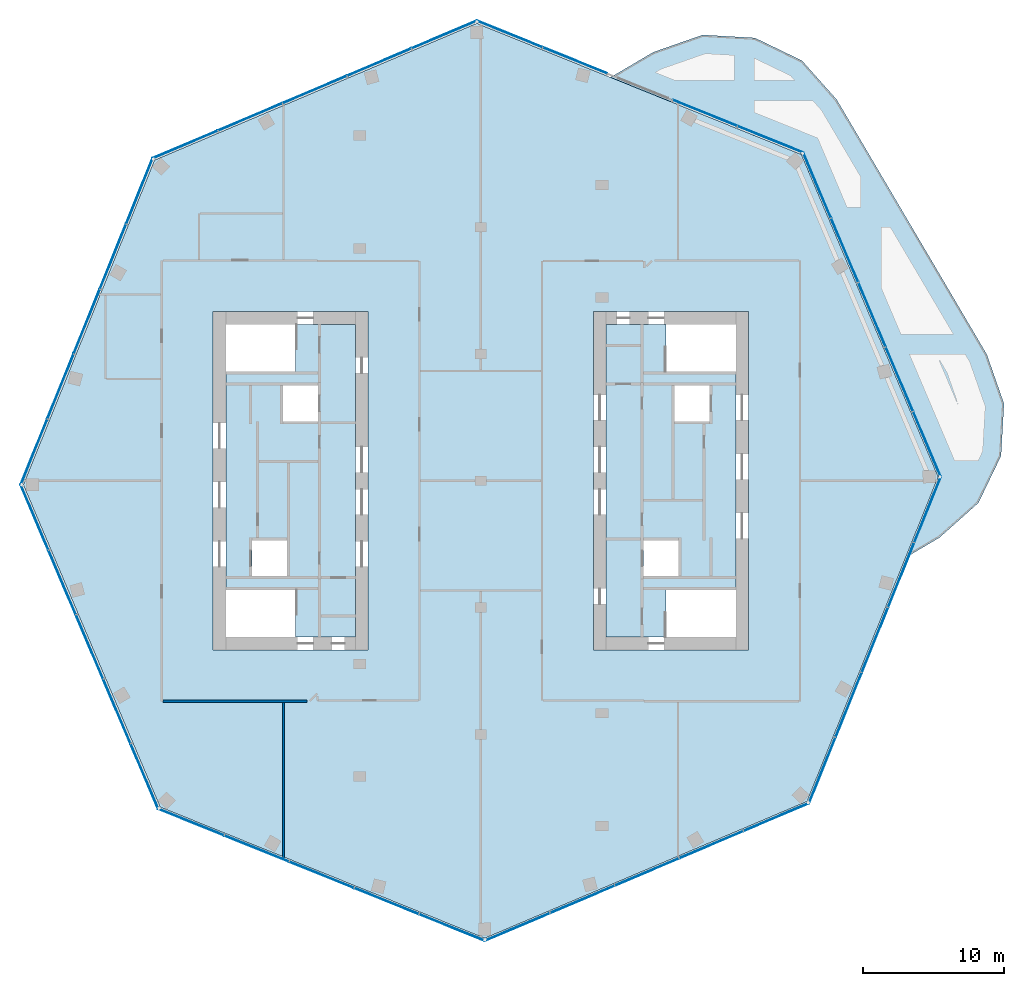
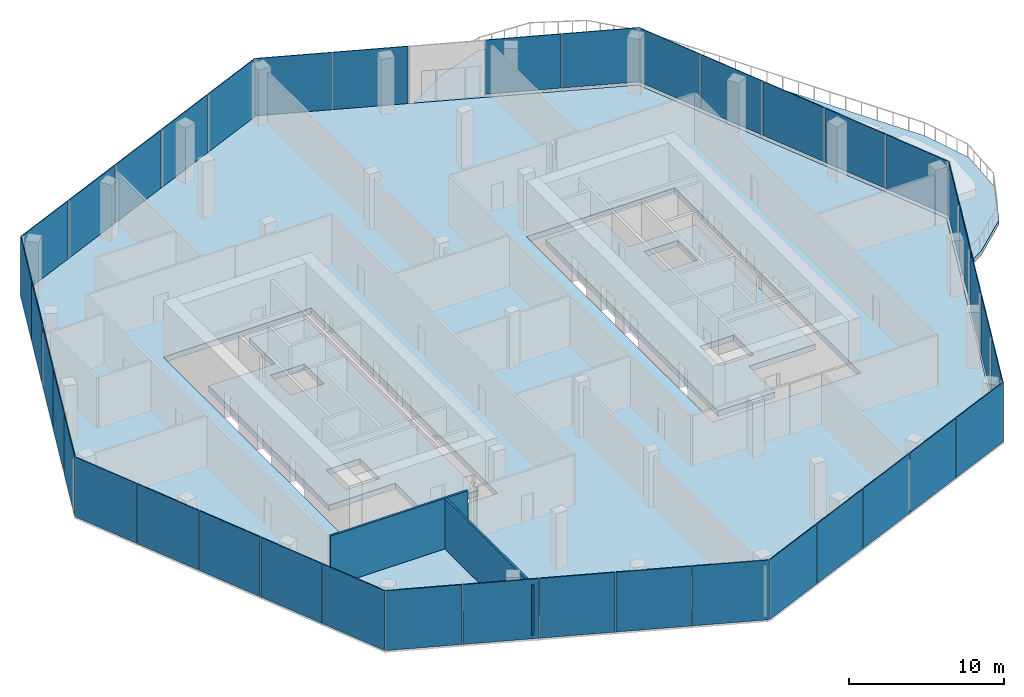
# One storey, part 11 of 15: 39 plates, 4 slabs, 2 walls, 8 elements without a shape of their own.
"""IFC4 building model written with IfcOpenShell, lengths in metres."""

from ifc_helpers import new_model, si_unit, direction, frame, frame_2d, origin, origin_2d, place, context, subcontext, project, spatial, polyline, rectangle, outline, extrude, material, layer, layer_set, type_object, element, aggregate, save


model = new_model("IFC4")

# Units and contexts
model_context = context("Model", 3, precision=1e-05, world=origin(), true_north=direction((0.0, 1.0)))
body_context = subcontext(model_context, "Body", "Model", "MODEL_VIEW")
ifc_project = project(units=[si_unit("LENGTHUNIT", "METRE"), si_unit("AREAUNIT", "SQUARE_METRE"), si_unit("VOLUMEUNIT", "CUBIC_METRE"), si_unit("PLANEANGLEUNIT", "RADIAN"), si_unit("MASSUNIT", "GRAM", prefix="KILO")], contexts=[model_context])

# Site, building, storey
site_placement = place(None, origin())
site = spatial("IfcSite", under=ifc_project, at=site_placement, CompositionType="ELEMENT")
building_placement = place(site_placement, origin())
building = spatial("IfcBuilding", under=site, at=building_placement, Name="Orlundy Tower", CompositionType="ELEMENT")
storey_placement = place(building_placement, frame((0.0, 0.0, 299.89990234375)))
storey = spatial("IfcBuildingStorey", under=building, at=storey_placement, Name="L80", CompositionType="ELEMENT", Elevation=299.89990234375)

# Curtain wall, plates
ifc_material_1 = material(Name="Aluminium bronze anodised", Category="aluminium")
curtain_wall_type = type_object("IfcCurtainWallType", Name="CW4 wall", PredefinedType="NOTDEFINED", material=ifc_material_1)
curtain_wall_1_placement = place(storey_placement, origin())
curtain_wall_1 = element("IfcCurtainWall", 1, at=curtain_wall_1_placement, inside=storey, type_object=curtain_wall_type, Name="CW4 run 00", PredefinedType="NOTDEFINED")
ifc_material_2 = material(Name="Louvre aluminium bronze anodised", Category="aluminium")
ifc_layer_1 = layer(ifc_material_2, 0.06005859375)
ifc_layer_set_1 = layer_set([ifc_layer_1], Name="CW4 louvre panel 60")
plate_type = type_object("IfcPlateType", Name="CW4 louvre panel 60", PredefinedType="CURTAIN_PANEL", material=ifc_layer_set_1)
plate_1_placement = place(storey_placement, frame((23.867919921875, 20.98583984375, 0.150146484375), z_axis=(0.0, 0.0, 1.0), x_axis=(0.390726531244, -0.920506804854, 0.0)))
plate_1 = element("IfcPlate", 2, at=plate_1_placement, type_object=plate_type, Name="CW4 louvre", PredefinedType="CURTAIN_PANEL", context=body_context, shape_type="SweptSolid", body=[
    extrude(rectangle(XDim=5.01123046875, YDim=0.06005859375, at=origin_2d()), origin(), (0.0, 0.0, 1.0), 4.25),
])
plate_2_placement = place(storey_placement, frame((25.829833984375, 16.364013671875, 0.150146484375), z_axis=(0.0, 0.0, 1.0), x_axis=(0.390726531244, -0.920506804854, 0.0)))
plate_2 = element("IfcPlate", 3, at=plate_2_placement, type_object=plate_type, Name="CW4 louvre", PredefinedType="CURTAIN_PANEL", context=body_context, shape_type="SweptSolid", body=[
    extrude(rectangle(XDim=4.91064453125, YDim=0.06005859375, at=origin_2d()), origin(), (0.0, 0.0, 1.0), 4.25),
])
plate_3_placement = place(storey_placement, frame((27.77197265625, 11.788330078125, 0.150146484375), z_axis=(0.0, 0.0, 1.0), x_axis=(0.390726531244, -0.920506804854, 0.0)))
plate_3 = element("IfcPlate", 4, at=plate_3_placement, type_object=plate_type, Name="CW4 louvre", PredefinedType="CURTAIN_PANEL", context=body_context, shape_type="SweptSolid", body=[
    extrude(rectangle(XDim=4.91064453125, YDim=0.06005859375, at=origin_2d()), origin(), (0.0, 0.0, 1.0), 4.25),
])
plate_4_placement = place(storey_placement, frame((29.714111328125, 7.212890625, 0.150146484375), z_axis=(0.0, 0.0, 1.0), x_axis=(0.390726531244, -0.920506804854, 0.0)))
plate_4 = element("IfcPlate", 5, at=plate_4_placement, type_object=plate_type, Name="CW4 louvre", PredefinedType="CURTAIN_PANEL", context=body_context, shape_type="SweptSolid", body=[
    extrude(rectangle(XDim=4.91064453125, YDim=0.06005859375, at=origin_2d()), origin(), (0.0, 0.0, 1.0), 4.25),
])
plate_5_placement = place(storey_placement, frame((31.676025390625, 2.591064453125, 0.150146484375), z_axis=(0.0, 0.0, 1.0), x_axis=(0.390726531244, -0.920506804854, 0.0)))
plate_5 = element("IfcPlate", 6, at=plate_5_placement, type_object=plate_type, Name="CW4 louvre", PredefinedType="CURTAIN_PANEL", context=body_context, shape_type="SweptSolid", body=[
    extrude(rectangle(XDim=5.01123046875, YDim=0.06005859375, at=origin_2d()), origin(), (0.0, 0.0, 1.0), 4.25),
])
aggregate(curtain_wall_1, [plate_1, plate_2, plate_3, plate_4, plate_5])

curtain_wall_2_placement = place(storey_placement, origin())
curtain_wall_2 = element("IfcCurtainWall", 7, at=curtain_wall_2_placement, inside=storey, type_object=curtain_wall_type, Name="CW4 run 01", PredefinedType="NOTDEFINED")
plate_6_placement = place(storey_placement, frame((31.71630859375, -2.038330078125, 0.150146484375), z_axis=(0.0, 0.0, 1.0), x_axis=(-0.374607412456, -0.927183523653, 0.0)))
plate_6 = element("IfcPlate", 8, at=plate_6_placement, type_object=plate_type, Name="CW4 louvre", PredefinedType="CURTAIN_PANEL", context=body_context, shape_type="SweptSolid", body=[
    extrude(rectangle(XDim=5.010986328125, YDim=0.06005859375, at=origin_2d()), origin(), (0.0, 0.0, 1.0), 4.25),
])
plate_7_placement = place(storey_placement, frame((29.835693359375, -6.693603515625, 0.150146484375), z_axis=(0.0, 0.0, 1.0), x_axis=(-0.374607412456, -0.927183523653, 0.0)))
plate_7 = element("IfcPlate", 9, at=plate_7_placement, type_object=plate_type, Name="CW4 louvre", PredefinedType="CURTAIN_PANEL", context=body_context, shape_type="SweptSolid", body=[
    extrude(rectangle(XDim=4.91064453125, YDim=0.06005859375, at=origin_2d()), origin(), (0.0, 0.0, 1.0), 4.25),
])
plate_8_placement = place(storey_placement, frame((27.9736328125, -11.30224609375, -0.2998046875), z_axis=(0.0, 0.0, 1.0), x_axis=(-0.374607412456, -0.927183523653, 0.0)))
plate_8 = element("IfcPlate", 10, at=plate_8_placement, type_object=plate_type, Name="CW4 louvre", PredefinedType="CURTAIN_PANEL", context=body_context, shape_type="SweptSolid", body=[
    extrude(rectangle(XDim=4.91064453125, YDim=0.06005859375, at=origin_2d()), origin(), (0.0, 0.0, 1.0), 4.699951171875),
])
plate_9_placement = place(storey_placement, frame((26.111572265625, -15.910888671875, -0.2998046875), z_axis=(0.0, 0.0, 1.0), x_axis=(-0.374607412456, -0.927183523653, 0.0)))
plate_9 = element("IfcPlate", 11, at=plate_9_placement, type_object=plate_type, Name="CW4 louvre", PredefinedType="CURTAIN_PANEL", context=body_context, shape_type="SweptSolid", body=[
    extrude(rectangle(XDim=4.91064453125, YDim=0.06005859375, at=origin_2d()), origin(), (0.0, 0.0, 1.0), 4.699951171875),
])
plate_10_placement = place(storey_placement, frame((24.230712890625, -20.56591796875, -0.2998046875), z_axis=(0.0, 0.0, 1.0), x_axis=(-0.374607412456, -0.927183523653, 0.0)))
plate_10 = element("IfcPlate", 12, at=plate_10_placement, type_object=plate_type, Name="CW4 louvre", PredefinedType="CURTAIN_PANEL", context=body_context, shape_type="SweptSolid", body=[
    extrude(rectangle(XDim=5.010986328125, YDim=0.06005859375, at=origin_2d()), origin(), (0.0, 0.0, 1.0), 4.699951171875),
])
aggregate(curtain_wall_2, [plate_6, plate_7, plate_8, plate_9, plate_10])

curtain_wall_3_placement = place(storey_placement, origin())
curtain_wall_3 = element("IfcCurtainWall", 13, at=curtain_wall_3_placement, inside=storey, type_object=curtain_wall_type, Name="CW4 run 02", PredefinedType="NOTDEFINED")
plate_11_placement = place(storey_placement, frame((20.98583984375, -23.867919921875, -0.2998046875), z_axis=(0.0, 0.0, 1.0), x_axis=(-0.920506804854, -0.390726531244, 0.0)))
plate_11 = element("IfcPlate", 14, at=plate_11_placement, type_object=plate_type, Name="CW4 louvre", PredefinedType="CURTAIN_PANEL", context=body_context, shape_type="SweptSolid", body=[
    extrude(rectangle(XDim=5.01123046875, YDim=0.06005859375, at=origin_2d()), origin(), (0.0, 0.0, 1.0), 4.699951171875),
])
plate_12_placement = place(storey_placement, frame((16.364013671875, -25.829833984375, -0.2998046875), z_axis=(0.0, 0.0, 1.0), x_axis=(-0.920506804854, -0.390726531244, 0.0)))
plate_12 = element("IfcPlate", 15, at=plate_12_placement, type_object=plate_type, Name="CW4 louvre", PredefinedType="CURTAIN_PANEL", context=body_context, shape_type="SweptSolid", body=[
    extrude(rectangle(XDim=4.91064453125, YDim=0.06005859375, at=origin_2d()), origin(), (0.0, 0.0, 1.0), 4.699951171875),
])
plate_13_placement = place(storey_placement, frame((11.788330078125, -27.77197265625, -0.2998046875), z_axis=(0.0, 0.0, 1.0), x_axis=(-0.920506804854, -0.390726531244, 0.0)))
plate_13 = element("IfcPlate", 16, at=plate_13_placement, type_object=plate_type, Name="CW4 louvre", PredefinedType="CURTAIN_PANEL", context=body_context, shape_type="SweptSolid", body=[
    extrude(rectangle(XDim=4.91064453125, YDim=0.06005859375, at=origin_2d()), origin(), (0.0, 0.0, 1.0), 4.699951171875),
])
plate_14_placement = place(storey_placement, frame((7.212890625, -29.714111328125, -0.2998046875), z_axis=(0.0, 0.0, 1.0), x_axis=(-0.920506804854, -0.390726531244, 0.0)))
plate_14 = element("IfcPlate", 17, at=plate_14_placement, type_object=plate_type, Name="CW4 louvre", PredefinedType="CURTAIN_PANEL", context=body_context, shape_type="SweptSolid", body=[
    extrude(rectangle(XDim=4.91064453125, YDim=0.06005859375, at=origin_2d()), origin(), (0.0, 0.0, 1.0), 4.699951171875),
])
plate_15_placement = place(storey_placement, frame((2.591064453125, -31.676025390625, -0.2998046875), z_axis=(0.0, 0.0, 1.0), x_axis=(-0.920506804854, -0.390726531244, 0.0)))
plate_15 = element("IfcPlate", 18, at=plate_15_placement, type_object=plate_type, Name="CW4 louvre", PredefinedType="CURTAIN_PANEL", context=body_context, shape_type="SweptSolid", body=[
    extrude(rectangle(XDim=5.01123046875, YDim=0.06005859375, at=origin_2d()), origin(), (0.0, 0.0, 1.0), 4.699951171875),
])
aggregate(curtain_wall_3, [plate_11, plate_12, plate_13, plate_14, plate_15])

curtain_wall_4_placement = place(storey_placement, origin())
curtain_wall_4 = element("IfcCurtainWall", 19, at=curtain_wall_4_placement, inside=storey, type_object=curtain_wall_type, Name="CW4 run 03", PredefinedType="NOTDEFINED")
plate_16_placement = place(storey_placement, frame((-2.038330078125, -31.71630859375, -0.2998046875), z_axis=(0.0, 0.0, 1.0), x_axis=(-0.927183523653, 0.374607412456, 0.0)))
plate_16 = element("IfcPlate", 20, at=plate_16_placement, type_object=plate_type, Name="CW4 louvre", PredefinedType="CURTAIN_PANEL", context=body_context, shape_type="SweptSolid", body=[
    extrude(rectangle(XDim=5.010986328125, YDim=0.06005859375, at=origin_2d()), origin(), (0.0, 0.0, 1.0), 4.699951171875),
])
plate_17_placement = place(storey_placement, frame((-6.693603515625, -29.835693359375, -0.2998046875), z_axis=(0.0, 0.0, 1.0), x_axis=(-0.927183523653, 0.374607412456, 0.0)))
plate_17 = element("IfcPlate", 21, at=plate_17_placement, type_object=plate_type, Name="CW4 louvre", PredefinedType="CURTAIN_PANEL", context=body_context, shape_type="SweptSolid", body=[
    extrude(rectangle(XDim=4.91064453125, YDim=0.06005859375, at=origin_2d()), origin(), (0.0, 0.0, 1.0), 4.699951171875),
])
plate_18_placement = place(storey_placement, frame((-11.30224609375, -27.9736328125, -0.2998046875), z_axis=(0.0, 0.0, 1.0), x_axis=(-0.927183523653, 0.374607412456, 0.0)))
plate_18 = element("IfcPlate", 22, at=plate_18_placement, type_object=plate_type, Name="CW4 louvre", PredefinedType="CURTAIN_PANEL", context=body_context, shape_type="SweptSolid", body=[
    extrude(rectangle(XDim=4.91064453125, YDim=0.06005859375, at=origin_2d()), origin(), (0.0, 0.0, 1.0), 4.699951171875),
])
plate_19_placement = place(storey_placement, frame((-15.910888671875, -26.111572265625, -0.2998046875), z_axis=(0.0, 0.0, 1.0), x_axis=(-0.927183523653, 0.374607412456, 0.0)))
plate_19 = element("IfcPlate", 23, at=plate_19_placement, type_object=plate_type, Name="CW4 louvre", PredefinedType="CURTAIN_PANEL", context=body_context, shape_type="SweptSolid", body=[
    extrude(rectangle(XDim=4.91064453125, YDim=0.06005859375, at=origin_2d()), origin(), (0.0, 0.0, 1.0), 4.699951171875),
])
plate_20_placement = place(storey_placement, frame((-20.56591796875, -24.230712890625, -0.2998046875), z_axis=(0.0, 0.0, 1.0), x_axis=(-0.927183523653, 0.374607412456, 0.0)))
plate_20 = element("IfcPlate", 24, at=plate_20_placement, type_object=plate_type, Name="CW4 louvre", PredefinedType="CURTAIN_PANEL", context=body_context, shape_type="SweptSolid", body=[
    extrude(rectangle(XDim=5.010986328125, YDim=0.06005859375, at=origin_2d()), origin(), (0.0, 0.0, 1.0), 4.699951171875),
])
aggregate(curtain_wall_4, [plate_16, plate_17, plate_18, plate_19, plate_20])

curtain_wall_5_placement = place(storey_placement, origin())
curtain_wall_5 = element("IfcCurtainWall", 25, at=curtain_wall_5_placement, inside=storey, type_object=curtain_wall_type, Name="CW4 run 04", PredefinedType="NOTDEFINED")
plate_21_placement = place(storey_placement, frame((-23.867919921875, -20.98583984375, -0.2998046875), z_axis=(0.0, 0.0, 1.0), x_axis=(-0.390726531244, 0.920506804854, 0.0)))
plate_21 = element("IfcPlate", 26, at=plate_21_placement, type_object=plate_type, Name="CW4 louvre", PredefinedType="CURTAIN_PANEL", context=body_context, shape_type="SweptSolid", body=[
    extrude(rectangle(XDim=5.01123046875, YDim=0.06005859375, at=origin_2d()), origin(), (0.0, 0.0, 1.0), 4.699951171875),
])
plate_22_placement = place(storey_placement, frame((-25.829833984375, -16.364013671875, -0.2998046875), z_axis=(0.0, 0.0, 1.0), x_axis=(-0.390726531244, 0.920506804854, 0.0)))
plate_22 = element("IfcPlate", 27, at=plate_22_placement, type_object=plate_type, Name="CW4 louvre", PredefinedType="CURTAIN_PANEL", context=body_context, shape_type="SweptSolid", body=[
    extrude(rectangle(XDim=4.91064453125, YDim=0.06005859375, at=origin_2d()), origin(), (0.0, 0.0, 1.0), 4.699951171875),
])
plate_23_placement = place(storey_placement, frame((-27.77197265625, -11.788330078125, -0.2998046875), z_axis=(0.0, 0.0, 1.0), x_axis=(-0.390726531244, 0.920506804854, 0.0)))
plate_23 = element("IfcPlate", 28, at=plate_23_placement, type_object=plate_type, Name="CW4 louvre", PredefinedType="CURTAIN_PANEL", context=body_context, shape_type="SweptSolid", body=[
    extrude(rectangle(XDim=4.91064453125, YDim=0.06005859375, at=origin_2d()), origin(), (0.0, 0.0, 1.0), 4.699951171875),
])
plate_24_placement = place(storey_placement, frame((-29.714111328125, -7.212890625, -0.2998046875), z_axis=(0.0, 0.0, 1.0), x_axis=(-0.390726531244, 0.920506804854, 0.0)))
plate_24 = element("IfcPlate", 29, at=plate_24_placement, type_object=plate_type, Name="CW4 louvre", PredefinedType="CURTAIN_PANEL", context=body_context, shape_type="SweptSolid", body=[
    extrude(rectangle(XDim=4.91064453125, YDim=0.06005859375, at=origin_2d()), origin(), (0.0, 0.0, 1.0), 4.699951171875),
])
plate_25_placement = place(storey_placement, frame((-31.676025390625, -2.591064453125, -0.2998046875), z_axis=(0.0, 0.0, 1.0), x_axis=(-0.390726531244, 0.920506804854, 0.0)))
plate_25 = element("IfcPlate", 30, at=plate_25_placement, type_object=plate_type, Name="CW4 louvre", PredefinedType="CURTAIN_PANEL", context=body_context, shape_type="SweptSolid", body=[
    extrude(rectangle(XDim=5.01123046875, YDim=0.06005859375, at=origin_2d()), origin(), (0.0, 0.0, 1.0), 4.699951171875),
])
aggregate(curtain_wall_5, [plate_21, plate_22, plate_23, plate_24, plate_25])

curtain_wall_6_placement = place(storey_placement, origin())
curtain_wall_6 = element("IfcCurtainWall", 31, at=curtain_wall_6_placement, inside=storey, type_object=curtain_wall_type, Name="CW4 run 05", PredefinedType="NOTDEFINED")
plate_26_placement = place(storey_placement, frame((-31.71630859375, 2.038330078125, -0.2998046875), z_axis=(0.0, 0.0, 1.0), x_axis=(0.374607412456, 0.927183523653, 0.0)))
plate_26 = element("IfcPlate", 32, at=plate_26_placement, type_object=plate_type, Name="CW4 louvre", PredefinedType="CURTAIN_PANEL", context=body_context, shape_type="SweptSolid", body=[
    extrude(rectangle(XDim=5.010986328125, YDim=0.06005859375, at=origin_2d()), origin(), (0.0, 0.0, 1.0), 4.699951171875),
])
plate_27_placement = place(storey_placement, frame((-29.835693359375, 6.693603515625, -0.2998046875), z_axis=(0.0, 0.0, 1.0), x_axis=(0.374607412456, 0.927183523653, 0.0)))
plate_27 = element("IfcPlate", 33, at=plate_27_placement, type_object=plate_type, Name="CW4 louvre", PredefinedType="CURTAIN_PANEL", context=body_context, shape_type="SweptSolid", body=[
    extrude(rectangle(XDim=4.91064453125, YDim=0.06005859375, at=origin_2d()), origin(), (0.0, 0.0, 1.0), 4.699951171875),
])
plate_28_placement = place(storey_placement, frame((-27.9736328125, 11.30224609375, -0.2998046875), z_axis=(0.0, 0.0, 1.0), x_axis=(0.374607412456, 0.927183523653, 0.0)))
plate_28 = element("IfcPlate", 34, at=plate_28_placement, type_object=plate_type, Name="CW4 louvre", PredefinedType="CURTAIN_PANEL", context=body_context, shape_type="SweptSolid", body=[
    extrude(rectangle(XDim=4.91064453125, YDim=0.06005859375, at=origin_2d()), origin(), (0.0, 0.0, 1.0), 4.699951171875),
])
plate_29_placement = place(storey_placement, frame((-26.111572265625, 15.910888671875, -0.2998046875), z_axis=(0.0, 0.0, 1.0), x_axis=(0.374607412456, 0.927183523653, 0.0)))
plate_29 = element("IfcPlate", 35, at=plate_29_placement, type_object=plate_type, Name="CW4 louvre", PredefinedType="CURTAIN_PANEL", context=body_context, shape_type="SweptSolid", body=[
    extrude(rectangle(XDim=4.91064453125, YDim=0.06005859375, at=origin_2d()), origin(), (0.0, 0.0, 1.0), 4.699951171875),
])
plate_30_placement = place(storey_placement, frame((-24.230712890625, 20.56591796875, -0.2998046875), z_axis=(0.0, 0.0, 1.0), x_axis=(0.374607412456, 0.927183523653, 0.0)))
plate_30 = element("IfcPlate", 36, at=plate_30_placement, type_object=plate_type, Name="CW4 louvre", PredefinedType="CURTAIN_PANEL", context=body_context, shape_type="SweptSolid", body=[
    extrude(rectangle(XDim=5.010986328125, YDim=0.06005859375, at=origin_2d()), origin(), (0.0, 0.0, 1.0), 4.699951171875),
])
aggregate(curtain_wall_6, [plate_26, plate_27, plate_28, plate_29, plate_30])

curtain_wall_7_placement = place(storey_placement, origin())
curtain_wall_7 = element("IfcCurtainWall", 37, at=curtain_wall_7_placement, inside=storey, type_object=curtain_wall_type, Name="CW4 run 06", PredefinedType="NOTDEFINED")
plate_31_placement = place(storey_placement, frame((-20.98583984375, 23.867919921875, -0.2998046875), z_axis=(0.0, 0.0, 1.0), x_axis=(0.920506804854, 0.390726531244, 0.0)))
plate_31 = element("IfcPlate", 38, at=plate_31_placement, type_object=plate_type, Name="CW4 louvre", PredefinedType="CURTAIN_PANEL", context=body_context, shape_type="SweptSolid", body=[
    extrude(rectangle(XDim=5.01123046875, YDim=0.06005859375, at=origin_2d()), origin(), (0.0, 0.0, 1.0), 4.699951171875),
])
plate_32_placement = place(storey_placement, frame((-16.364013671875, 25.829833984375, -0.2998046875), z_axis=(0.0, 0.0, 1.0), x_axis=(0.920506804854, 0.390726531244, 0.0)))
plate_32 = element("IfcPlate", 39, at=plate_32_placement, type_object=plate_type, Name="CW4 louvre", PredefinedType="CURTAIN_PANEL", context=body_context, shape_type="SweptSolid", body=[
    extrude(rectangle(XDim=4.91064453125, YDim=0.06005859375, at=origin_2d()), origin(), (0.0, 0.0, 1.0), 4.699951171875),
])
plate_33_placement = place(storey_placement, frame((-11.788330078125, 27.77197265625, -0.2998046875), z_axis=(0.0, 0.0, 1.0), x_axis=(0.920506804854, 0.390726531244, 0.0)))
plate_33 = element("IfcPlate", 40, at=plate_33_placement, type_object=plate_type, Name="CW4 louvre", PredefinedType="CURTAIN_PANEL", context=body_context, shape_type="SweptSolid", body=[
    extrude(rectangle(XDim=4.91064453125, YDim=0.06005859375, at=origin_2d()), origin(), (0.0, 0.0, 1.0), 4.699951171875),
])
plate_34_placement = place(storey_placement, frame((-7.212890625, 29.714111328125, -0.2998046875), z_axis=(0.0, 0.0, 1.0), x_axis=(0.920506804854, 0.390726531244, 0.0)))
plate_34 = element("IfcPlate", 41, at=plate_34_placement, type_object=plate_type, Name="CW4 louvre", PredefinedType="CURTAIN_PANEL", context=body_context, shape_type="SweptSolid", body=[
    extrude(rectangle(XDim=4.91064453125, YDim=0.06005859375, at=origin_2d()), origin(), (0.0, 0.0, 1.0), 4.699951171875),
])
plate_35_placement = place(storey_placement, frame((-2.591064453125, 31.676025390625, -0.2998046875), z_axis=(0.0, 0.0, 1.0), x_axis=(0.920506804854, 0.390726531244, 0.0)))
plate_35 = element("IfcPlate", 42, at=plate_35_placement, type_object=plate_type, Name="CW4 louvre", PredefinedType="CURTAIN_PANEL", context=body_context, shape_type="SweptSolid", body=[
    extrude(rectangle(XDim=5.01123046875, YDim=0.06005859375, at=origin_2d()), origin(), (0.0, 0.0, 1.0), 4.699951171875),
])
aggregate(curtain_wall_7, [plate_31, plate_32, plate_33, plate_34, plate_35])

curtain_wall_8_placement = place(storey_placement, origin())
curtain_wall_8 = element("IfcCurtainWall", 43, at=curtain_wall_8_placement, inside=storey, type_object=curtain_wall_type, Name="CW4 run 07", PredefinedType="NOTDEFINED")
plate_36_placement = place(storey_placement, frame((2.038330078125, 31.71630859375, -0.2998046875), z_axis=(0.0, 0.0, 1.0), x_axis=(0.927183523653, -0.374607412456, 0.0)))
plate_36 = element("IfcPlate", 44, at=plate_36_placement, type_object=plate_type, Name="CW4 louvre", PredefinedType="CURTAIN_PANEL", context=body_context, shape_type="SweptSolid", body=[
    extrude(rectangle(XDim=5.010986328125, YDim=0.06005859375, at=origin_2d()), origin(), (0.0, 0.0, 1.0), 4.699951171875),
])
plate_37_placement = place(storey_placement, frame((6.693603515625, 29.835693359375, -0.2998046875), z_axis=(0.0, 0.0, 1.0), x_axis=(0.927183523653, -0.374607412456, 0.0)))
plate_37 = element("IfcPlate", 45, at=plate_37_placement, type_object=plate_type, Name="CW4 louvre", PredefinedType="CURTAIN_PANEL", context=body_context, shape_type="SweptSolid", body=[
    extrude(rectangle(XDim=4.91064453125, YDim=0.06005859375, at=origin_2d()), origin(), (0.0, 0.0, 1.0), 4.699951171875),
])
plate_38_placement = place(storey_placement, frame((15.910888671875, 26.111572265625, 0.150146484375), z_axis=(0.0, 0.0, 1.0), x_axis=(0.927183523653, -0.374607412456, 0.0)))
plate_38 = element("IfcPlate", 46, at=plate_38_placement, type_object=plate_type, Name="CW4 louvre", PredefinedType="CURTAIN_PANEL", context=body_context, shape_type="SweptSolid", body=[
    extrude(rectangle(XDim=4.91064453125, YDim=0.06005859375, at=origin_2d()), origin(), (0.0, 0.0, 1.0), 4.25),
])
plate_39_placement = place(storey_placement, frame((20.56591796875, 24.230712890625, 0.150146484375), z_axis=(0.0, 0.0, 1.0), x_axis=(0.927183523653, -0.374607412456, 0.0)))
plate_39 = element("IfcPlate", 47, at=plate_39_placement, type_object=plate_type, Name="CW4 louvre", PredefinedType="CURTAIN_PANEL", context=body_context, shape_type="SweptSolid", body=[
    extrude(rectangle(XDim=5.010986328125, YDim=0.06005859375, at=origin_2d()), origin(), (0.0, 0.0, 1.0), 4.25),
])
aggregate(curtain_wall_8, [plate_36, plate_37, plate_38, plate_39])

# Slabs
ifc_material_3 = material(Name="Concrete C50/60", Category="concrete")
ifc_layer_2 = layer(ifc_material_3, 0.449951171875)
ifc_layer_set_2 = layer_set([ifc_layer_2], Name="Core Floor Slab 450")
slab_type_1 = type_object("IfcSlabType", Name="Core Floor Slab 450", PredefinedType="FLOOR", material=ifc_layer_set_2)
slab_1_placement = place(storey_placement, frame((0.0, 0.0, -0.449951171875)))
element("IfcSlab", 48, at=slab_1_placement, inside=storey, type_object=slab_type_1, Name="Core floor W62", PredefinedType="FLOOR", context=body_context, shape_type="SweptSolid", body=[
    extrude(outline(polyline([(-8.89990234375, -11.10009765625), (-13.14501953125, -11.10009765625), (-13.14501953125, -7.75), (-18.10009765625, -7.75), (-18.10009765625, 7.75), (-13.14501953125, 7.75), (-13.14501953125, 11.10009765625), (-8.89990234375, 11.10009765625), (-8.89990234375, -11.10009765625)]), holes=[polyline([(-13.739990234375, -6.77490234375), (-13.739990234375, -4.22509765625), (-16.239990234375, -4.22509765625), (-16.239990234375, -6.77490234375), (-13.739990234375, -6.77490234375)]), polyline([(-14.0400390625, 4.22509765625), (-11.5400390625, 4.22509765625), (-11.5400390625, 6.77490234375), (-14.0400390625, 6.77490234375), (-14.0400390625, 4.22509765625)])]), origin(), (0.0, 0.0, 1.0), 0.449951171875),
])
slab_2_placement = place(storey_placement, frame((0.0, 0.0, -0.449951171875)))
element("IfcSlab", 49, at=slab_2_placement, inside=storey, type_object=slab_type_1, Name="Core floor E62", PredefinedType="FLOOR", context=body_context, shape_type="SweptSolid", body=[
    extrude(outline(polyline([(8.89990234375, 11.10009765625), (13.14501953125, 11.10009765625), (13.14501953125, 7.75), (18.10009765625, 7.75), (18.10009765625, -7.75), (13.14501953125, -7.75), (13.14501953125, -11.10009765625), (8.89990234375, -11.10009765625), (8.89990234375, 11.10009765625)]), holes=[polyline([(13.739990234375, 6.77490234375), (13.739990234375, 4.22509765625), (16.239990234375, 4.22509765625), (16.239990234375, 6.77490234375), (13.739990234375, 6.77490234375)]), polyline([(14.0400390625, -4.22509765625), (11.5400390625, -4.22509765625), (11.5400390625, -6.77490234375), (14.0400390625, -6.77490234375), (14.0400390625, -4.22509765625)])]), origin(), (0.0, 0.0, 1.0), 0.449951171875),
])
ifc_material_4 = material(Name="Concrete C45/55", Category="concrete")
ifc_layer_3 = layer(ifc_material_4, 0.449951171875)
ifc_layer_set_3 = layer_set([ifc_layer_3], Name="PLANT FLOOR SLAB 450 C45/55")
slab_type_2 = type_object("IfcSlabType", Name="PLANT FLOOR SLAB 450 C45/55", PredefinedType="FLOOR", material=ifc_layer_set_3)
slab_3_placement = place(storey_placement, frame((0.0, 0.0, -0.449951171875)))
element("IfcSlab", 50, at=slab_3_placement, inside=storey, type_object=slab_type_2, Name="Floor slab L80", PredefinedType="FLOOR", context=body_context, shape_type="SweptSolid", body=[
    extrude(outline(polyline([(32.470947265625, 0.282958984375), (23.160888671875, -22.760009765625), (0.282958984375, -32.470947265625), (-22.760009765625, -23.160888671875), (-32.470947265625, -0.282958984375), (-23.160888671875, 22.760009765625), (-0.282958984375, 32.470947265625), (22.760009765625, 23.160888671875), (32.470947265625, 0.282958984375)]), holes=[polyline([(-8.0, -12.0), (-8.0, 12.0), (-19.0, 12.0), (-19.0, -12.0), (-8.0, -12.0)]), polyline([(19.0, -12.0), (19.0, 12.0), (8.0, 12.0), (8.0, -12.0), (19.0, -12.0)])]), origin(), (0.0, 0.0, 1.0), 0.449951171875),
])
ifc_material_5 = material(Name="Concrete C45/55", Category="concrete")
ifc_layer_4 = layer(ifc_material_5, 0.35009765625)
ifc_layer_set_4 = layer_set([ifc_layer_4], Name="TERRACE SLAB 350 C45/55")
slab_type_3 = type_object("IfcSlabType", Name="TERRACE SLAB 350 C45/55", PredefinedType="ROOF", material=ifc_layer_set_4)
slab_4_placement = place(storey_placement, frame((0.0, 0.0, -0.349853515625)))
element("IfcSlab", 51, at=slab_4_placement, inside=storey, type_object=slab_type_3, Name="Terrace slab L80-1", PredefinedType="ROOF", context=body_context, shape_type="SweptSolid", body=[
    extrude(outline(polyline([(30.155029296875, -5.449951171875), (32.470947265625, 0.282958984375), (22.760009765625, 23.160888671875), (9.20703125, 28.636962890625), (12.251953125, 30.428955078125), (15.75, 31.65087890625), (19.451904296875, 31.44091796875), (22.7900390625, 29.830078125), (25.259033203125, 27.06494140625), (35.9169921875, 8.970947265625), (37.138916015625, 5.471923828125), (36.928955078125, 1.76904296875), (35.319091796875, -1.568115234375), (32.552978515625, -4.037109375), (30.155029296875, -5.449951171875)])), origin(), (0.0, 0.0, 1.0), 0.349853515625),
])

# Walls
ifc_material_6 = material(Name="Blockwork shaft wall", Category="masonry")
ifc_layer_5 = layer(ifc_material_6, 0.14990234375)
ifc_layer_set_5 = layer_set([ifc_layer_5], Name="Floor shaft wall 150")
wall_type = type_object("IfcWallType", Name="Floor shaft wall 150", PredefinedType="PARTITIONING", material=ifc_layer_set_5)
wall_1_placement = place(storey_placement, frame((-22.574951171875, -15.65087890625, 0.0), z_axis=(0.0, 0.0, 1.0), x_axis=(1.0, 0.0, 0.0)))
element("IfcWall", 52, at=wall_1_placement, inside=storey, type_object=wall_type, Name="wall-int-L80-002", PredefinedType="PARTITIONING", context=body_context, shape_type="SweptSolid", body=[
    extrude(rectangle(XDim=10.23388671875, YDim=0.14990234375, at=frame_2d((5.116943359375, 0.0))), origin(), (0.0, 0.0, 1.0), 3.97998046875),
])
wall_2_placement = place(storey_placement, frame((-14.0, -26.969970703125, 0.0), z_axis=(0.0, 0.0, 1.0), x_axis=(0.0, 1.0, 0.0)))
element("IfcWall", 53, at=wall_2_placement, inside=storey, type_object=wall_type, Name="wall-int-L80-028", PredefinedType="PARTITIONING", context=body_context, shape_type="SweptSolid", body=[
    extrude(rectangle(XDim=11.243896484375, YDim=0.14990234375, at=frame_2d((5.6220703125, 0.0))), origin(), (0.0, 0.0, 1.0), 3.97998046875),
])

save(model, "model.ifc")
